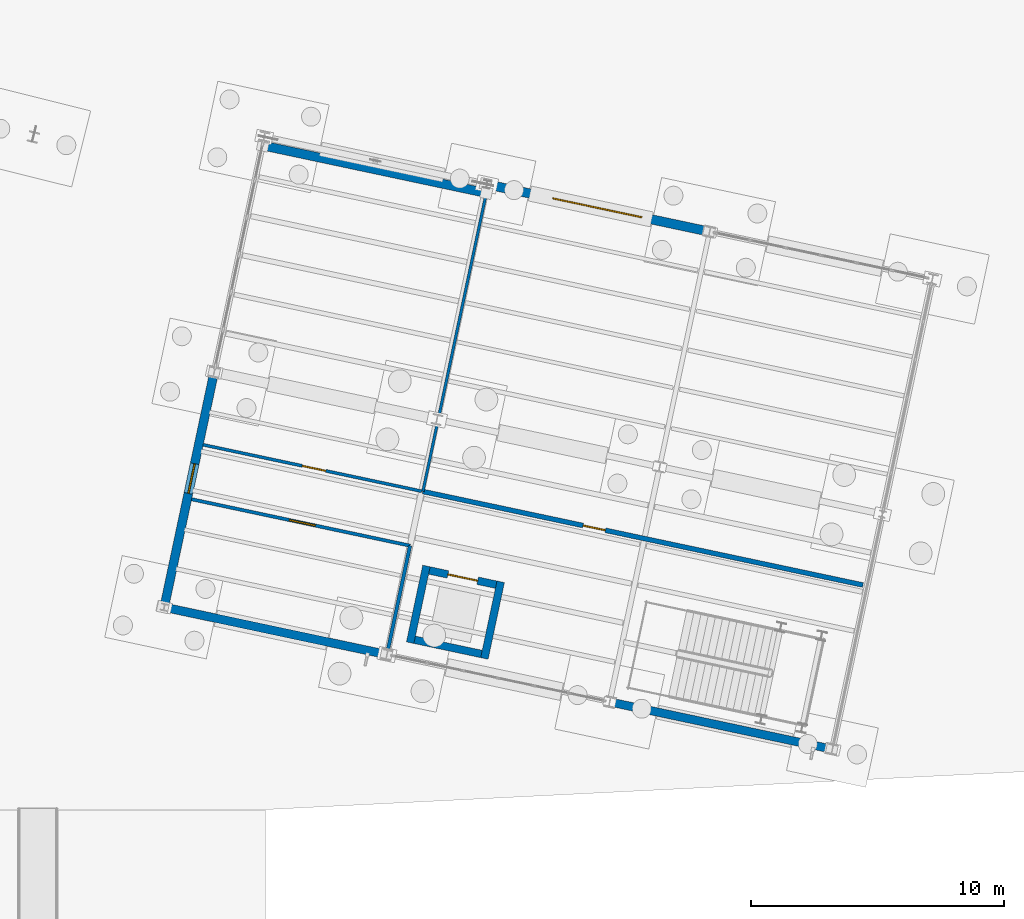
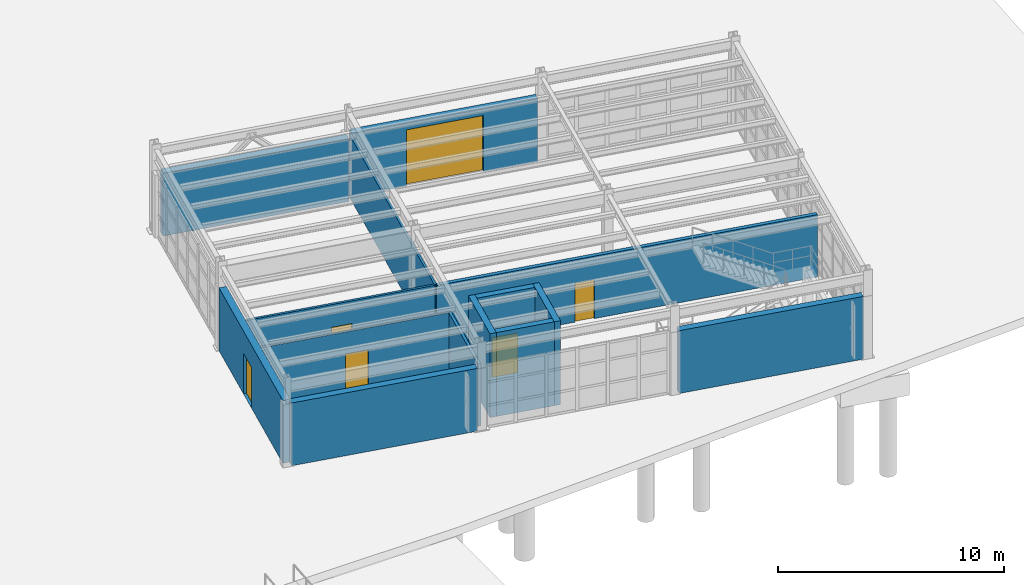
# One storey, part 88 of 108: 14 walls, 6 doors, 6 openings.
"""IFC4 building model written with IfcOpenShell, lengths in metres."""

import ifcopenshell
import ifcopenshell.guid

model = None  # the IFC model being written
_history = None  # IfcOwnerHistory: only IFC2X3 demands one
_inside = {}  # id of a spatial element -> (the spatial element, [elements in it])
_under = {}  # id of a project, library or spatial element -> (it, [spatial elements below it])
_declared = {}  # id of a project -> (the project, [libraries it declares])
_typed = {}  # id of a type object -> (the type object, [elements of that type])
_made_of = {}  # id of a material, layer set ... -> (it, [elements and type objects made of it])


def new_model(schema):
    """Start an empty IFC model of exactly this schema.

    Asked for "IFC4X3", IfcOpenShell would pick the latest addendum, in which some entities
    have other attributes; the version numbers below select the first issue.
    IFC2X3 requires an IfcOwnerHistory on every rooted entity: one is made here for all.
    """
    global model, _history
    if schema == "IFC4X3":
        model = ifcopenshell.file(schema_version=(4, 3, 0, 0))
    else:
        model = ifcopenshell.file(schema=schema)
    _inside.clear()
    _under.clear()
    _declared.clear()
    _typed.clear()
    _made_of.clear()
    _history = None
    if model.schema == "IFC2X3":
        org = make("IfcOrganization", Name="unknown")
        user = make(
            "IfcPersonAndOrganization",
            ThePerson=make("IfcPerson", FamilyName="unknown"),
            TheOrganization=org,
        )
        app = make(
            "IfcApplication",
            ApplicationDeveloper=org,
            Version="unknown",
            ApplicationFullName="unknown",
            ApplicationIdentifier="unknown",
        )
        _history = make(
            "IfcOwnerHistory",
            OwningUser=user,
            OwningApplication=app,
            ChangeAction="ADDED",
            CreationDate=0,
        )
    return model


def make(cls, **values):
    """One entity of the class cls with the attributes given. An attribute that is None is left unset."""
    return model.create_entity(
        cls, **{name: value for name, value in values.items() if value is not None}
    )


def rooted(cls, **values):
    """An entity with a GlobalId (a new one), such as an element, a storey or a relation."""
    return make(cls, GlobalId=ifcopenshell.guid.new(), OwnerHistory=_history, **values)


def si_unit(unit_type, name, prefix=None):
    """IfcSIUnit, for example si_unit("LENGTHUNIT", "METRE", prefix="MILLI")."""
    return make("IfcSIUnit", UnitType=unit_type, Prefix=prefix, Name=name)


def assignment(units):
    """IfcUnitAssignment: the units of a project."""
    return None if units is None else make("IfcUnitAssignment", Units=units)


def point(xyz):
    """IfcCartesianPoint."""
    return None if xyz is None else make("IfcCartesianPoint", Coordinates=xyz)


def direction(xyz):
    """IfcDirection."""
    return None if xyz is None else make("IfcDirection", DirectionRatios=xyz)


def frame(location, z_axis=None, x_axis=None):
    """IfcAxis2Placement3D, a coordinate frame: its origin and axes. An axis left out is left unset."""
    return make(
        "IfcAxis2Placement3D",
        Location=point(location),
        Axis=direction(z_axis),
        RefDirection=direction(x_axis),
    )


def frame_2d(location, x_axis=None):
    """IfcAxis2Placement2D, a coordinate frame in the plane: its origin and x axis."""
    return make(
        "IfcAxis2Placement2D", Location=point(location), RefDirection=direction(x_axis)
    )


def origin():
    """The frame at (0, 0, 0) with its axes left unset."""
    return frame((0.0, 0.0, 0.0))


def origin_with_axes():
    """The frame at (0, 0, 0) with the z axis (0, 0, 1) and the x axis (1, 0, 0) written out."""
    return frame((0.0, 0.0, 0.0), z_axis=(0.0, 0.0, 1.0), x_axis=(1.0, 0.0, 0.0))


def place(relative_to, where):
    """IfcLocalPlacement: puts the frame where relative to a parent placement (None: the world)."""
    return make(
        "IfcLocalPlacement", PlacementRelTo=relative_to, RelativePlacement=where
    )


def context(
    kind, dimensions, precision=None, world=None, true_north=None, identifier=None
):
    """IfcGeometricRepresentationContext, for example the 3D "Model" context."""
    return make(
        "IfcGeometricRepresentationContext",
        ContextIdentifier=identifier,
        ContextType=kind,
        CoordinateSpaceDimension=dimensions,
        Precision=precision,
        WorldCoordinateSystem=world,
        TrueNorth=true_north,
    )


def subcontext(parent, identifier, kind, view, scale=None):
    """IfcGeometricRepresentationSubContext, for example "Body" below "Model"."""
    return make(
        "IfcGeometricRepresentationSubContext",
        ContextIdentifier=identifier,
        ContextType=kind,
        ParentContext=parent,
        TargetScale=scale,
        TargetView=view,
    )


def project(units=None, contexts=None):
    """IfcProject with its units and contexts."""
    return rooted(
        "IfcProject",
        Name="project",
        RepresentationContexts=contexts,
        UnitsInContext=assignment(units),
    )


def spatial(cls, under=None, at=None, **own):
    """A site, building, storey or space (cls), placed at a placement, below another one or the project."""
    s = rooted(cls, ObjectPlacement=at, **own)
    if under is not None:
        _under.setdefault(under.id(), (under, []))[1].append(s)
    return s


def profile(cls, at=None, kind="AREA", **sizes):
    """A parametric profile (cls). Its sizes go by their IFC names, for example OverallWidth=200.0."""
    return make(cls, ProfileType=kind, Position=at, **sizes)


def rectangle(**sizes):
    """IfcRectangleProfileDef."""
    return profile("IfcRectangleProfileDef", **sizes)


def extrude(swept, where, along, depth):
    """IfcExtrudedAreaSolid: the profile swept, set in the frame where, extruded along a direction by depth."""
    return make(
        "IfcExtrudedAreaSolid",
        SweptArea=swept,
        Position=where,
        ExtrudedDirection=direction(along),
        Depth=depth,
    )


def shape(context_of_items, identifier, shape_type, items):
    """IfcShapeRepresentation: the items that make up one representation, for example the "Body"."""
    return make(
        "IfcShapeRepresentation",
        ContextOfItems=context_of_items,
        RepresentationIdentifier=identifier,
        RepresentationType=shape_type,
        Items=items,
    )


def material(Name=None, Category=None):
    """IfcMaterial."""
    return make("IfcMaterial", Name=Name, Category=Category)


def layer(
    of_material, thickness, ventilated=None, Name=None, Category=None, Priority=None
):
    """IfcMaterialLayer: one layer of a wall or slab, of a material (None: an air gap)."""
    return make(
        "IfcMaterialLayer",
        Material=of_material,
        LayerThickness=thickness,
        IsVentilated=ventilated,
        Name=Name,
        Category=Category,
        Priority=Priority,
    )


def layer_set(layers, Name=None):
    """IfcMaterialLayerSet."""
    return make("IfcMaterialLayerSet", MaterialLayers=layers, LayerSetName=Name)


def made_of(thing, what):
    """Note that an element or type object is made of a material, layer set ...; save() writes the relation."""
    if what is not None:
        _made_of.setdefault(what.id(), (what, []))[1].append(thing)
    return thing


def type_object(cls, material=None, **own):
    """A type object (cls), such as IfcWallType, which elements share."""
    return made_of(rooted(cls, **own), material)


def element(
    cls,
    number,
    at=None,
    inside=None,
    cuts=None,
    type_object=None,
    material=None,
    context=None,
    identifier="Body",
    shape_type=None,
    held_by="IfcProductDefinitionShape",
    body=None,
    shapes=None,
    **own,
):
    """One element of the class cls, such as IfcWall. Its Tag is "e" and its number.

    at: its placement. inside: the storey or other place that contains it. cuts: it is an
    opening in that element (IfcRelVoidsElement). A single representation is given by context,
    identifier, shape_type and body (its items); several are given by shapes. held_by: the class
    of the entity that holds the representations. save() writes the other relations.
    """
    e = rooted(cls, Tag="e%d" % number, ObjectPlacement=at, **own)
    if body is not None:
        shapes = [shape(context, identifier, shape_type, body)]
    if shapes is not None:
        e.Representation = make(held_by, Representations=shapes)
    if inside is not None:
        _inside.setdefault(inside.id(), (inside, []))[1].append(e)
    if cuts is not None:
        rooted(
            "IfcRelVoidsElement", RelatingBuildingElement=cuts, RelatedOpeningElement=e
        )
    if type_object is not None:
        _typed.setdefault(type_object.id(), (type_object, []))[1].append(e)
    return made_of(e, material)


def fill(opening, filler):
    """IfcRelFillsElement: the door or window that sits in an opening."""
    return rooted(
        "IfcRelFillsElement",
        RelatingOpeningElement=opening,
        RelatedBuildingElement=filler,
    )


def aggregate(whole, parts):
    """IfcRelAggregates: a whole, such as a stair, and the parts it consists of."""
    return rooted("IfcRelAggregates", RelatingObject=whole, RelatedObjects=parts)


def save(model, path):
    """Write the relations noted so far, then the file.

    IfcRelAggregates (storeys below a building ...), IfcRelContainedInSpatialStructure (elements
    in a storey), IfcRelDefinesByType, IfcRelAssociatesMaterial and IfcRelDeclares: one each for
    every whole, place, type object, material and project.
    """
    for whole, parts in _under.values():
        aggregate(whole, parts)
    for where, things in _inside.values():
        rooted(
            "IfcRelContainedInSpatialStructure",
            RelatedElements=things,
            RelatingStructure=where,
        )
    for kind, things in _typed.values():
        rooted("IfcRelDefinesByType", RelatedObjects=things, RelatingType=kind)
    for what, things in _made_of.values():
        rooted("IfcRelAssociatesMaterial", RelatedObjects=things, RelatingMaterial=what)
    for by, libraries in _declared.values():
        rooted("IfcRelDeclares", RelatingContext=by, RelatedDefinitions=libraries)
    model.write(path)


model = new_model("IFC4")

# Units and contexts
model_context = context("Model", 3, precision=1e-05, world=origin(), true_north=direction((0.0, 1.0)))
body_context = subcontext(model_context, "Body", "Model", "MODEL_VIEW")
ifc_project = project(units=[si_unit("LENGTHUNIT", "METRE"), si_unit("AREAUNIT", "SQUARE_METRE"), si_unit("VOLUMEUNIT", "CUBIC_METRE"), si_unit("PLANEANGLEUNIT", "RADIAN"), si_unit("MASSUNIT", "GRAM", prefix="KILO")], contexts=[model_context])

# Site, building, storey
site_placement = place(None, origin())
site = spatial("IfcSite", under=ifc_project, at=site_placement, CompositionType="ELEMENT")
building_placement = place(site_placement, origin())
building = spatial("IfcBuilding", under=site, at=building_placement, Name="Vireo Bluff Cable Station", CompositionType="ELEMENT")
storey_placement = place(building_placement, origin())
storey = spatial("IfcBuildingStorey", under=building, at=storey_placement, Name="L00", CompositionType="ELEMENT", Elevation=0.0)

# Walls
ifc_material_1 = material(Name="Precast concrete f'c 45 MPa", Category="concrete")
ifc_layer_1 = layer(ifc_material_1, 0.330078125, Name="Precast concrete f'c 45 MPa")
ifc_layer_set_1 = layer_set([ifc_layer_1], Name="Precast concrete f'c 45 MPa")
wall_type_1 = type_object("IfcWallType", Name="EW-PRECAST-330", PredefinedType="SOLIDWALL", material=ifc_layer_set_1)
wall_1_placement = place(storey_placement, frame((156.2119140625, 4.428466796875, 0.0), z_axis=(0.0, 0.0, 1.0), x_axis=(-0.978145277071, 0.207922622493, 0.0)))
element("IfcWall", 1, at=wall_1_placement, inside=storey, type_object=wall_type_1, Name="V5E L00 south exterior wall 110", PredefinedType="SOLIDWALL", context=body_context, shape_type="SweptSolid", body=[
    extrude(rectangle(XDim=8.594970703125, YDim=0.330078125, at=frame_2d((4.29736328125, 0.0))), origin(), (0.0, 0.0, 1.0), 3.39990234375),
])
ifc_layer_2 = layer(ifc_material_1, 0.340087890625, Name="Precast concrete f'c 45 MPa")
ifc_layer_set_2 = layer_set([ifc_layer_2], Name="Precast concrete f'c 45 MPa")
wall_type_2 = type_object("IfcWallType", Name="EW-PRECAST-340", PredefinedType="SOLIDWALL", material=ifc_layer_set_2)
wall_2_placement = place(storey_placement, frame((138.605224609375, 8.1708984375, 0.0), z_axis=(0.0, 0.0, 1.0), x_axis=(-0.978146535451, 0.207916702516, 0.0)))
element("IfcWall", 2, at=wall_2_placement, inside=storey, type_object=wall_type_2, Name="V5E L00 south exterior wall 111", PredefinedType="SOLIDWALL", context=body_context, shape_type="SweptSolid", body=[
    extrude(rectangle(XDim=8.6669921875, YDim=0.340087890625, at=frame_2d((4.33349609375, 0.0))), origin(), (0.0, 0.0, 1.0), 3.39990234375),
])

# Wall, opening, door
ifc_layer_3 = layer(ifc_material_1, 0.35009765625, Name="Precast concrete f'c 45 MPa")
ifc_layer_set_3 = layer_set([ifc_layer_3], Name="Precast concrete f'c 45 MPa")
wall_type_3 = type_object("IfcWallType", Name="EW-PRECAST-350", PredefinedType="SOLIDWALL", material=ifc_layer_set_3)
wall_3_placement = place(storey_placement, frame((130.02783203125, 10.131103515625, 0.0), z_axis=(0.0, 0.0, 1.0), x_axis=(0.207925982851, 0.978144562759, 0.0)))
wall_3 = element("IfcWall", 3, at=wall_3_placement, inside=storey, type_object=wall_type_3, Name="V5E L00 west exterior wall 112", PredefinedType="SOLIDWALL", context=body_context, shape_type="SweptSolid", body=[
    extrude(rectangle(XDim=9.164306640625, YDim=0.35009765625, at=frame_2d((4.58203125, 0.0))), origin(), (0.0, 0.0, 1.0), 3.39990234375),
])
opening_1_placement = place(wall_3_placement, frame((4.466064453125, 0.0, 0.0)))
opening_1 = element("IfcOpeningElement", 4, at=opening_1_placement, cuts=wall_3, Name="Opening ED-011", PredefinedType="OPENING", context=body_context, shape_type="SweptSolid", body=[
    extrude(rectangle(XDim=1.199951171875, YDim=2.199951171875, at=frame_2d((0.60009765625, 1.10009765625))), frame((0.0, 0.18505859375, 0.0), z_axis=(0.0, -1.0, 0.0), x_axis=(1.0, 0.0, 0.0)), (0.0, 0.0, 1.0), 0.3701171875),
])
ifc_material_2 = material(Name="Anodized Aluminium 6063-T6", Category="aluminium")
door_type_1 = type_object("IfcDoorType", Name="EDOOR-1200X2200", OperationType="NOTDEFINED", PredefinedType="DOOR", material=ifc_material_2)
door_1_placement = place(opening_1_placement, origin_with_axes())
door_1 = element("IfcDoor", 5, at=door_1_placement, inside=storey, type_object=door_type_1, Name="V5E L00 plaza exit door ED-011", OperationType="SINGLE_SWING_RIGHT", OverallHeight=2.199951171875, OverallWidth=1.199951171875, PredefinedType="DOOR", context=body_context, shape_type="SweptSolid", body=[
    extrude(rectangle(XDim=1.199951171875, YDim=2.199951171875, at=frame_2d((0.60009765625, 1.10009765625))), frame((0.0, 0.02490234375, 0.0), z_axis=(0.0, -1.0, 0.0), x_axis=(1.0, 0.0, 0.0)), (0.0, 0.0, 1.0), 0.050048828125),
])
fill(opening_1, door_1)

# Wall
ifc_layer_4 = layer(ifc_material_1, 0.360107421875, Name="Precast concrete f'c 45 MPa")
ifc_layer_set_4 = layer_set([ifc_layer_4], Name="Precast concrete f'c 45 MPa")
wall_type_4 = type_object("IfcWallType", Name="EW-PRECAST-360", PredefinedType="SOLIDWALL", material=ifc_layer_set_4)
wall_4_placement = place(storey_placement, frame((134.080078125, 28.209716796875, 0.0), z_axis=(0.0, 0.0, 1.0), x_axis=(0.97814861123, -0.207906936749, 0.0)))
element("IfcWall", 6, at=wall_4_placement, inside=storey, type_object=wall_type_4, Name="V5E L00 north exterior wall 113", PredefinedType="SOLIDWALL", context=body_context, shape_type="SweptSolid", body=[
    extrude(rectangle(XDim=8.666259765625, YDim=0.360107421875, at=frame_2d((4.3330078125, 0.0))), origin(), (0.0, 0.0, 1.0), 3.39990234375),
])

# Wall, opening, door
ifc_layer_5 = layer(ifc_material_1, 0.3701171875, Name="Precast concrete f'c 45 MPa")
ifc_layer_set_5 = layer_set([ifc_layer_5], Name="Precast concrete f'c 45 MPa")
wall_type_5 = type_object("IfcWallType", Name="EW-PRECAST-370", PredefinedType="SOLIDWALL", material=ifc_layer_set_5)
wall_5_placement = place(storey_placement, frame((142.8798828125, 26.686767578125, 0.0), z_axis=(0.0, 0.0, 1.0), x_axis=(0.978148112715, -0.207909282121, 0.0)))
wall_5 = element("IfcWall", 7, at=wall_5_placement, inside=storey, type_object=wall_type_5, Name="V5E L00 north exterior wall 114", PredefinedType="SOLIDWALL", context=body_context, shape_type="SweptSolid", body=[
    extrude(rectangle(XDim=8.66845703125, YDim=0.3701171875, at=frame_2d((4.334228515625, 0.0))), origin(), (0.0, 0.0, 1.0), 3.39990234375),
])
opening_2_placement = place(wall_5_placement, frame((2.5341796875, 0.0, 0.0)))
opening_2 = element("IfcOpeningElement", 8, at=opening_2_placement, cuts=wall_5, Name="Opening VG-03", PredefinedType="OPENING", context=body_context, shape_type="SweptSolid", body=[
    extrude(rectangle(XDim=3.60009765625, YDim=3.050048828125, at=frame_2d((1.800048828125, 1.52490234375))), frame((0.0, 0.195068359375, 0.0), z_axis=(0.0, -1.0, 0.0), x_axis=(1.0, 0.0, 0.0)), (0.0, 0.0, 1.0), 0.39013671875),
])
ifc_material_3 = material(Name="Standing-Seam Titanium-Zinc Cladding")
door_type_2 = type_object("IfcDoorType", Name="VGATE-3600X3050", OperationType="ROLLINGUP", PredefinedType="GATE", material=ifc_material_3)
door_2_placement = place(opening_2_placement, origin_with_axes())
door_2 = element("IfcDoor", 9, at=door_2_placement, inside=storey, type_object=door_type_2, Name="V5E L00 roller shutter gate VG-03", OperationType="ROLLINGUP", OverallHeight=3.050048828125, OverallWidth=3.60009765625, PredefinedType="GATE", context=body_context, shape_type="SweptSolid", body=[
    extrude(rectangle(XDim=3.60009765625, YDim=3.050048828125, at=frame_2d((1.800048828125, 1.52490234375))), frame((0.0, 0.02490234375, 0.0), z_axis=(0.0, -1.0, 0.0), x_axis=(1.0, 0.0, 0.0)), (0.0, 0.0, 1.0), 0.050048828125),
])
fill(opening_2, door_2)

# Wall
ifc_material_4 = material(Name="Fire-Rated Gypsum Board Partition")
ifc_layer_6 = layer(ifc_material_4, 0.110107421875, Name="Fire-Rated Gypsum Board Partition")
ifc_layer_set_6 = layer_set([ifc_layer_6], Name="Fire-Rated Gypsum Board Partition")
wall_type_6 = type_object("IfcWallType", Name="PT-1HR-110", PredefinedType="PARTITIONING", material=ifc_layer_set_6)
wall_6_placement = place(storey_placement, frame((140.224365234375, 14.57421875, 0.0), z_axis=(0.0, 0.0, 1.0), x_axis=(0.207929664169, 0.978143780207, 0.0)))
element("IfcWall", 10, at=wall_6_placement, inside=storey, type_object=wall_type_6, Name="V5E L00 Mountain-Sports Rental Hall W partition", PredefinedType="PARTITIONING", context=body_context, shape_type="SweptSolid", body=[
    extrude(rectangle(XDim=12.22998046875, YDim=0.110107421875, at=frame_2d((6.114990234375, 0.0))), origin(), (0.0, 0.0, 1.0), 3.3798828125),
])

# Wall, opening, door
ifc_layer_7 = layer(ifc_material_4, 0.1201171875, Name="Fire-Rated Gypsum Board Partition")
ifc_layer_set_7 = layer_set([ifc_layer_7], Name="Fire-Rated Gypsum Board Partition")
wall_type_7 = type_object("IfcWallType", Name="PT-1HR-120", PredefinedType="PARTITIONING", material=ifc_layer_set_7)
wall_7_placement = place(storey_placement, frame((140.175537109375, 14.58447265625, 0.0), z_axis=(0.0, 0.0, 1.0), x_axis=(-0.978145427303, 0.207921915745, 0.0)))
wall_7 = element("IfcWall", 11, at=wall_7_placement, inside=storey, type_object=wall_type_7, Name="V5E L00 Loading and Service Bay S partition", PredefinedType="PARTITIONING", context=body_context, shape_type="SweptSolid", body=[
    extrude(rectangle(XDim=8.829833984375, YDim=0.1201171875, at=frame_2d((4.4150390625, 0.0))), origin(), (0.0, 0.0, 1.0), 3.3798828125),
])
opening_3_placement = place(wall_7_placement, frame((3.875, 0.0, 0.0)))
opening_3 = element("IfcOpeningElement", 12, at=opening_3_placement, cuts=wall_7, Name="Opening D-0124", PredefinedType="OPENING", context=body_context, shape_type="SweptSolid", body=[
    extrude(rectangle(XDim=0.949951171875, YDim=2.14990234375, at=frame_2d((0.47509765625, 1.074951171875))), frame((0.0, 0.070068359375, 0.0), z_axis=(0.0, -1.0, 0.0), x_axis=(1.0, 0.0, 0.0)), (0.0, 0.0, 1.0), 0.14013671875),
])
door_type_3 = type_object("IfcDoorType", Name="IDOOR60-950X2150", OperationType="NOTDEFINED", PredefinedType="DOOR", material=ifc_material_2)
door_3_placement = place(opening_3_placement, origin_with_axes())
door_3 = element("IfcDoor", 13, at=door_3_placement, inside=storey, type_object=door_type_3, Name="V5E L00 Loading and Service Bay door D-0124", OperationType="SINGLE_SWING_LEFT", OverallHeight=2.14990234375, OverallWidth=0.949951171875, PredefinedType="DOOR", context=body_context, shape_type="SweptSolid", body=[
    extrude(rectangle(XDim=0.949951171875, YDim=2.14990234375, at=frame_2d((0.47509765625, 1.074951171875))), frame((0.0, 0.02490234375, 0.0), z_axis=(0.0, -1.0, 0.0), x_axis=(1.0, 0.0, 0.0)), (0.0, 0.0, 1.0), 0.050048828125),
])
fill(opening_3, door_3)

ifc_layer_8 = layer(ifc_material_4, 0.1298828125, Name="Fire-Rated Gypsum Board Partition")
ifc_layer_set_8 = layer_set([ifc_layer_8], Name="Fire-Rated Gypsum Board Partition")
wall_type_8 = type_object("IfcWallType", Name="PT-1HR-130", PredefinedType="PARTITIONING", material=ifc_layer_set_8)
wall_8_placement = place(storey_placement, frame((131.0810546875, 14.2685546875, 0.0), z_axis=(0.0, 0.0, 1.0), x_axis=(0.978146622571, -0.20791629266, 0.0)))
wall_8 = element("IfcWall", 14, at=wall_8_placement, inside=storey, type_object=wall_type_8, Name="V5E L00 Equipment Fitting Room N partition", PredefinedType="PARTITIONING", context=body_context, shape_type="SweptSolid", body=[
    extrude(rectangle(XDim=8.830078125, YDim=0.1298828125, at=frame_2d((4.4150390625, 0.0))), origin(), (0.0, 0.0, 1.0), 3.3798828125),
])
opening_4_placement = place(wall_8_placement, frame((3.955078125, 0.0, 0.0)))
opening_4 = element("IfcOpeningElement", 15, at=opening_4_placement, cuts=wall_8, Name="Opening D-0125", PredefinedType="OPENING", context=body_context, shape_type="SweptSolid", body=[
    extrude(rectangle(XDim=1.050048828125, YDim=2.199951171875, at=frame_2d((0.52490234375, 1.10009765625))), frame((0.0, 0.074951171875, 0.0), z_axis=(0.0, -1.0, 0.0), x_axis=(1.0, 0.0, 0.0)), (0.0, 0.0, 1.0), 0.14990234375),
])
door_type_4 = type_object("IfcDoorType", Name="IDOOR60-1050X2200", OperationType="NOTDEFINED", PredefinedType="DOOR", material=ifc_material_2)
door_4_placement = place(opening_4_placement, origin_with_axes())
door_4 = element("IfcDoor", 16, at=door_4_placement, inside=storey, type_object=door_type_4, Name="V5E L00 Equipment Fitting Room door D-0125", OperationType="SINGLE_SWING_RIGHT", OverallHeight=2.199951171875, OverallWidth=1.050048828125, PredefinedType="DOOR", context=body_context, shape_type="SweptSolid", body=[
    extrude(rectangle(XDim=1.050048828125, YDim=2.199951171875, at=frame_2d((0.52490234375, 1.10009765625))), frame((0.0, 0.02490234375, 0.0), z_axis=(0.0, -1.0, 0.0), x_axis=(1.0, 0.0, 0.0)), (0.0, 0.0, 1.0), 0.050048828125),
])
fill(opening_4, door_4)

# Wall
ifc_layer_9 = layer(ifc_material_4, 0.139892578125, Name="Fire-Rated Gypsum Board Partition")
ifc_layer_set_9 = layer_set([ifc_layer_9], Name="Fire-Rated Gypsum Board Partition")
wall_type_9 = type_object("IfcWallType", Name="PT-1HR-140", PredefinedType="PARTITIONING", material=ifc_layer_set_9)
wall_9_placement = place(storey_placement, frame((139.71826171875, 12.4326171875, 0.0), z_axis=(0.0, 0.0, 1.0), x_axis=(-0.207956086708, -0.978138163043, 0.0)))
element("IfcWall", 17, at=wall_9_placement, inside=storey, type_object=wall_type_9, Name="V5E L00 Equipment Fitting Room E partition", PredefinedType="PARTITIONING", context=body_context, shape_type="SweptSolid", body=[
    extrude(rectangle(XDim=4.22998046875, YDim=0.139892578125, at=frame_2d((2.114990234375, 0.0))), origin(), (0.0, 0.0, 1.0), 3.3798828125),
])

# Wall, opening, door
ifc_layer_10 = layer(ifc_material_4, 0.18994140625, Name="Fire-Rated Gypsum Board Partition")
ifc_layer_set_10 = layer_set([ifc_layer_10], Name="Fire-Rated Gypsum Board Partition")
wall_type_10 = type_object("IfcWallType", Name="PT-1HR-190", PredefinedType="PARTITIONING", material=ifc_layer_set_10)
wall_10_placement = place(storey_placement, frame((157.615966796875, 10.87744140625, 0.0), z_axis=(0.0, 0.0, 1.0), x_axis=(-0.978146704978, 0.207915904975, 0.0)))
wall_10 = element("IfcWall", 18, at=wall_10_placement, inside=storey, type_object=wall_type_10, Name="V5E L00 Mountain-Sports Rental Hall S partition", PredefinedType="PARTITIONING", context=body_context, shape_type="SweptSolid", body=[
    extrude(rectangle(XDim=17.7802734375, YDim=0.18994140625, at=frame_2d((8.89013671875, 0.0))), origin(), (0.0, 0.0, 1.0), 3.3798828125),
])
opening_5_placement = place(wall_10_placement, frame((10.406982421875, 0.0, 0.0)))
opening_5 = element("IfcOpeningElement", 19, at=opening_5_placement, cuts=wall_10, Name="Opening D-0123", PredefinedType="OPENING", context=body_context, shape_type="SweptSolid", body=[
    extrude(rectangle(XDim=0.89990234375, YDim=2.10009765625, at=frame_2d((0.449951171875, 1.050048828125))), frame((0.0, 0.10498046875, 0.0), z_axis=(0.0, -1.0, 0.0), x_axis=(1.0, 0.0, 0.0)), (0.0, 0.0, 1.0), 0.2099609375),
])
door_type_5 = type_object("IfcDoorType", Name="IDOOR60-900X2100", OperationType="NOTDEFINED", PredefinedType="DOOR", material=ifc_material_2)
door_5_placement = place(opening_5_placement, origin_with_axes())
door_5 = element("IfcDoor", 20, at=door_5_placement, inside=storey, type_object=door_type_5, Name="V5E L00 Mountain-Sports Rental Hall door D-0123", OperationType="SINGLE_SWING_RIGHT", OverallHeight=2.10009765625, OverallWidth=0.89990234375, PredefinedType="DOOR", context=body_context, shape_type="SweptSolid", body=[
    extrude(rectangle(XDim=0.89990234375, YDim=2.10009765625, at=frame_2d((0.449951171875, 1.050048828125))), frame((0.0, 0.02490234375, 0.0), z_axis=(0.0, -1.0, 0.0), x_axis=(1.0, 0.0, 0.0)), (0.0, 0.0, 1.0), 0.050048828125),
])
fill(opening_5, door_5)

# Walls
ifc_material_5 = material(Name="Concrete f'c 40 MPa", Category="concrete")
ifc_layer_11 = layer(ifc_material_5, 0.300048828125, Name="Concrete f'c 40 MPa")
ifc_layer_set_11 = layer_set([ifc_layer_11], Name="Concrete f'c 40 MPa")
wall_type_11 = type_object("IfcWallType", Name="SW-CORE-300", PredefinedType="SHEAR", material=ifc_layer_set_11)
wall_11_placement = place(storey_placement, frame((139.720947265625, 8.59814453125, 0.0), z_axis=(0.0, 0.0, 1.0), x_axis=(0.207899254824, 0.978150244003, 0.0)))
element("IfcWall", 21, at=wall_11_placement, inside=storey, type_object=wall_type_11, Name="LP-03 L00 shaft W wall", PredefinedType="SHEAR", context=body_context, shape_type="SweptSolid", body=[
    extrude(rectangle(XDim=3.10009765625, YDim=0.300048828125, at=frame_2d((1.550048828125, 0.0))), origin(), (0.0, 0.0, 1.0), 4.5400390625),
])
wall_12_placement = place(storey_placement, frame((142.655517578125, 7.974609375, 0.0), z_axis=(0.0, 0.0, 1.0), x_axis=(0.207915270313, 0.978146839882, 0.0)))
element("IfcWall", 22, at=wall_12_placement, inside=storey, type_object=wall_type_11, Name="LP-03 L00 shaft E wall", PredefinedType="SHEAR", context=body_context, shape_type="SweptSolid", body=[
    extrude(rectangle(XDim=3.099853515625, YDim=0.300048828125, at=frame_2d((1.5498046875, 0.0))), origin(), (0.0, 0.0, 1.0), 4.5400390625),
])
wall_13_placement = place(storey_placement, frame((139.89892578125, 8.7138671875, 0.0), z_axis=(0.0, 0.0, 1.0), x_axis=(0.978133334052, -0.207978798957, 0.0)))
element("IfcWall", 23, at=wall_13_placement, inside=storey, type_object=wall_type_11, Name="LP-03 L00 shaft S wall", PredefinedType="SHEAR", context=body_context, shape_type="SweptSolid", body=[
    extrude(rectangle(XDim=2.699951171875, YDim=0.300048828125, at=frame_2d((1.35009765625, 0.0))), origin(), (0.0, 0.0, 1.0), 4.5400390625),
])

# Wall, opening, door
wall_14_placement = place(storey_placement, frame((140.48095703125, 11.45263671875, 0.0), z_axis=(0.0, 0.0, 1.0), x_axis=(0.97815563361, -0.207873895514, 0.0)))
wall_14 = element("IfcWall", 24, at=wall_14_placement, inside=storey, type_object=wall_type_11, Name="LP-03 L00 shaft N wall", PredefinedType="SHEAR", context=body_context, shape_type="SweptSolid", body=[
    extrude(rectangle(XDim=2.7001953125, YDim=0.300048828125, at=frame_2d((1.35009765625, 0.0))), origin(), (0.0, 0.0, 1.0), 4.5400390625),
])
opening_6_placement = place(wall_14_placement, frame((0.75, 0.0, 0.0)))
opening_6 = element("IfcOpeningElement", 25, at=opening_6_placement, cuts=wall_14, Name="Opening LD-020", PredefinedType="OPENING", context=body_context, shape_type="SweptSolid", body=[
    extrude(rectangle(XDim=1.199951171875, YDim=2.14990234375, at=frame_2d((0.60009765625, 1.074951171875))), frame((0.0, 0.16015625, 0.0), z_axis=(0.0, -1.0, 0.0), x_axis=(1.0, 0.0, 0.0)), (0.0, 0.0, 1.0), 0.320068359375),
])
ifc_material_6 = material(Name="Stainless Steel 316", Category="steel")
door_type_6 = type_object("IfcDoorType", Name="LIFTDOOR-1200X2150", OperationType="DOUBLE_DOOR_SLIDING", PredefinedType="DOOR", material=ifc_material_6)
door_6_placement = place(opening_6_placement, origin_with_axes())
door_6 = element("IfcDoor", 26, at=door_6_placement, inside=storey, type_object=door_type_6, Name="LP-03 L00 lift sliding landing door LD-020", OperationType="DOUBLE_DOOR_SLIDING", OverallHeight=2.14990234375, OverallWidth=1.199951171875, PredefinedType="DOOR", context=body_context, shape_type="SweptSolid", body=[
    extrude(rectangle(XDim=1.199951171875, YDim=2.14990234375, at=frame_2d((0.60009765625, 1.074951171875))), frame((0.0, 0.02490234375, 0.0), z_axis=(0.0, -1.0, 0.0), x_axis=(1.0, 0.0, 0.0)), (0.0, 0.0, 1.0), 0.050048828125),
])
fill(opening_6, door_6)

save(model, "model.ifc")
